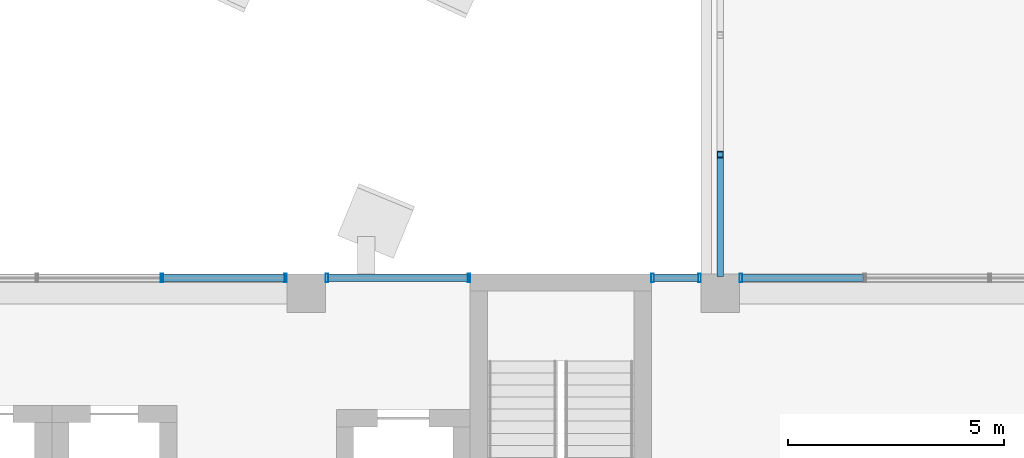
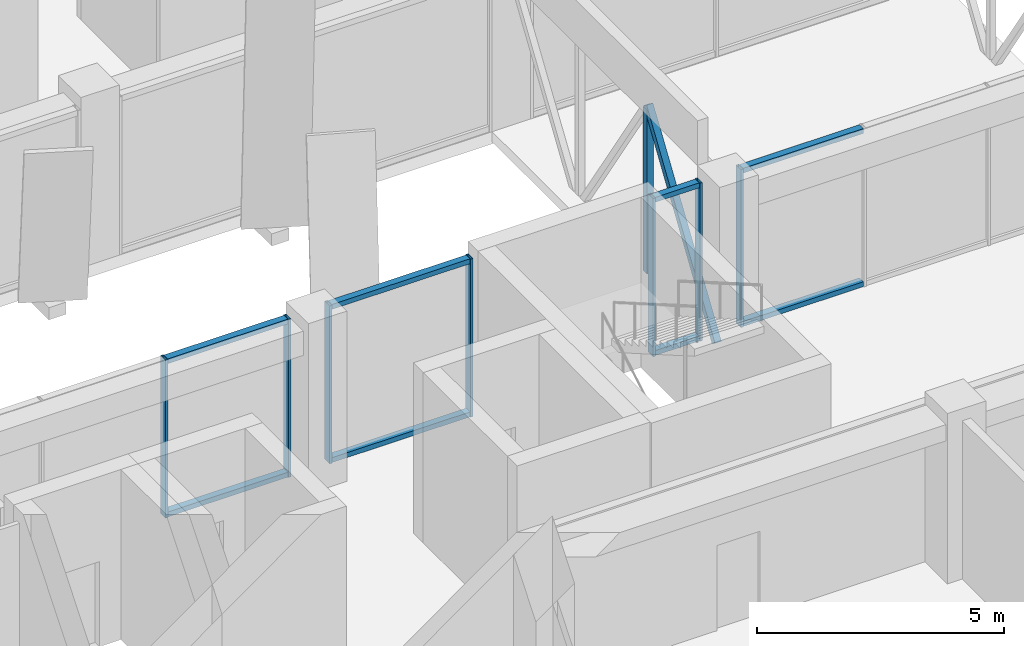
# One storey, part 9 of 38: 17 members, 4 elements without a shape of their own.
"""IFC4 building model written with IfcOpenShell, lengths in metres."""

from ifc_helpers import new_model, si_unit, direction, frame, origin, origin_2d, place, context, subcontext, project, spatial, hollow_rectangle, extrude, material, layer, layer_set, material_profile, profile_set, type_object, element, aggregate, save


model = new_model("IFC4")

# Units and contexts
model_context = context("Model", 3, precision=1e-05, world=origin(), true_north=direction((0.0, 1.0)))
body_context = subcontext(model_context, "Body", "Model", "MODEL_VIEW")
ifc_project = project(units=[si_unit("LENGTHUNIT", "METRE"), si_unit("AREAUNIT", "SQUARE_METRE"), si_unit("VOLUMEUNIT", "CUBIC_METRE"), si_unit("PLANEANGLEUNIT", "RADIAN"), si_unit("MASSUNIT", "GRAM", prefix="KILO")], contexts=[model_context])

# Site, building, storey
site_placement = place(None, origin())
site = spatial("IfcSite", under=ifc_project, at=site_placement, CompositionType="ELEMENT")
building_placement = place(site_placement, origin())
building = spatial("IfcBuilding", under=site, at=building_placement, Name="Nzadi Deep Aquarium and Research Tower", CompositionType="ELEMENT")
storey_placement = place(building_placement, frame((0.0, 0.0, 48.699951171875)))
storey = spatial("IfcBuildingStorey", under=building, at=storey_placement, Name="L09", CompositionType="ELEMENT", Elevation=48.699951171875)

# Curtain wall, members
ifc_material_1 = material(Name="Aluminium unitised frame", Category="aluminium")
ifc_layer = layer(ifc_material_1, 0.199951171875)
ifc_layer_set = layer_set([ifc_layer], Name="Aluminium unitised frame")
curtain_wall_type = type_object("IfcCurtainWallType", Name="Curtain wall Unitised 200", PredefinedType="NOTDEFINED", material=ifc_layer_set)
curtain_wall_1_placement = place(storey_placement, origin())
curtain_wall_1 = element("IfcCurtainWall", 1, at=curtain_wall_1_placement, inside=storey, type_object=curtain_wall_type, Name="Unitised curtain wall blade A north L09", PredefinedType="NOTDEFINED")
ifc_material_2 = material(Name="Aluminium unitised frame", Category="aluminium")
ifc_material_profile_1 = material_profile(ifc_material_2, hollow_rectangle(XDim=0.199951171875, YDim=0.06005859375, WallThickness=0.0048828125, at=origin_2d()))
ifc_profile_set_1 = profile_set([ifc_material_profile_1], Name="Aluminium unitised frame")
member_type_1 = type_object("IfcMemberType", Name="Mullion 60x200 Unitised", PredefinedType="MULLION", material=ifc_profile_set_1)
member_1_placement = place(storey_placement, frame((15.85009765625, 18.75, 0.0), z_axis=(0.0, 0.0, 1.0), x_axis=(0.0, 1.0, 0.0)))
member_1 = element("IfcMember", 2, at=member_1_placement, type_object=member_type_1, Name="CW031 mullion 3", PredefinedType="MULLION", context=body_context, shape_type="SweptSolid", body=[
    extrude(hollow_rectangle(XDim=0.199951171875, YDim=0.06005859375, WallThickness=0.0048828125, at=origin_2d()), origin(), (0.0, 0.0, 1.0), 3.900146484375),
])
member_2_placement = place(storey_placement, frame((18.719970703125, 18.75, 0.0), z_axis=(0.0, 0.0, 1.0), x_axis=(0.0, 1.0, 0.0)))
member_2 = element("IfcMember", 3, at=member_2_placement, type_object=member_type_1, Name="CW031 mullion 4", PredefinedType="MULLION", context=body_context, shape_type="SweptSolid", body=[
    extrude(hollow_rectangle(XDim=0.199951171875, YDim=0.06005859375, WallThickness=0.0048828125, at=origin_2d()), origin(), (0.0, 0.0, 1.0), 3.900146484375),
])

curtain_wall_2_placement = place(storey_placement, origin())
curtain_wall_2 = element("IfcCurtainWall", 4, at=curtain_wall_2_placement, inside=storey, type_object=curtain_wall_type, Name="Unitised curtain wall blade A north L09", PredefinedType="NOTDEFINED")
member_3_placement = place(storey_placement, frame((19.679931640625, 18.75, 0.0), z_axis=(0.0, 0.0, 1.0), x_axis=(0.0, 1.0, 0.0)))
member_3 = element("IfcMember", 5, at=member_3_placement, type_object=member_type_1, Name="CW032 mullion 1", PredefinedType="MULLION", context=body_context, shape_type="SweptSolid", body=[
    extrude(hollow_rectangle(XDim=0.199951171875, YDim=0.06005859375, WallThickness=0.0048828125, at=origin_2d()), origin(), (0.0, 0.0, 1.0), 3.900146484375),
])
member_4_placement = place(storey_placement, frame((22.969970703125, 18.75, 0.0), z_axis=(0.0, 0.0, 1.0), x_axis=(0.0, 1.0, 0.0)))
member_4 = element("IfcMember", 6, at=member_4_placement, type_object=member_type_1, Name="CW032 mullion 2", PredefinedType="MULLION", context=body_context, shape_type="SweptSolid", body=[
    extrude(hollow_rectangle(XDim=0.199951171875, YDim=0.06005859375, WallThickness=0.0048828125, at=origin_2d()), origin(), (0.0, 0.0, 1.0), 3.900146484375),
])

curtain_wall_3_placement = place(storey_placement, origin())
curtain_wall_3 = element("IfcCurtainWall", 7, at=curtain_wall_3_placement, inside=storey, type_object=curtain_wall_type, Name="Unitised curtain wall blade A north L09", PredefinedType="NOTDEFINED")
member_5_placement = place(storey_placement, frame((27.22998046875, 18.75, 0.0), z_axis=(0.0, 0.0, 1.0), x_axis=(0.0, 1.0, 0.0)))
member_5 = element("IfcMember", 8, at=member_5_placement, type_object=member_type_1, Name="CW033 mullion 1", PredefinedType="MULLION", context=body_context, shape_type="SweptSolid", body=[
    extrude(hollow_rectangle(XDim=0.199951171875, YDim=0.06005859375, WallThickness=0.0048828125, at=origin_2d()), origin(), (0.0, 0.0, 1.0), 3.900146484375),
])
member_6_placement = place(storey_placement, frame((28.320068359375, 18.75, 0.0), z_axis=(0.0, 0.0, 1.0), x_axis=(0.0, 1.0, 0.0)))
member_6 = element("IfcMember", 9, at=member_6_placement, type_object=member_type_1, Name="CW033 mullion 2", PredefinedType="MULLION", context=body_context, shape_type="SweptSolid", body=[
    extrude(hollow_rectangle(XDim=0.199951171875, YDim=0.06005859375, WallThickness=0.0048828125, at=origin_2d()), origin(), (0.0, 0.0, 1.0), 3.900146484375),
])

# Curtain wall, member
curtain_wall_4_placement = place(storey_placement, origin())
curtain_wall_4 = element("IfcCurtainWall", 10, at=curtain_wall_4_placement, inside=storey, type_object=curtain_wall_type, Name="Unitised curtain wall blade A north L09", PredefinedType="NOTDEFINED")
member_7_placement = place(storey_placement, frame((29.280029296875, 18.75, 0.0), z_axis=(0.0, 0.0, 1.0), x_axis=(0.0, 1.0, 0.0)))
member_7 = element("IfcMember", 11, at=member_7_placement, type_object=member_type_1, Name="CW034 mullion 1", PredefinedType="MULLION", context=body_context, shape_type="SweptSolid", body=[
    extrude(hollow_rectangle(XDim=0.199951171875, YDim=0.06005859375, WallThickness=0.0048828125, at=origin_2d()), origin(), (0.0, 0.0, 1.0), 3.900146484375),
])

# Members
ifc_material_3 = material(Name="Steel S355", Category="steel")
ifc_material_profile_2 = material_profile(ifc_material_3, hollow_rectangle(XDim=0.14990234375, YDim=0.14990234375, WallThickness=0.010009765625, at=origin_2d()))
ifc_profile_set_2 = profile_set([ifc_material_profile_2], Name="Steel S355")
member_type_2 = type_object("IfcMemberType", Name="RHS 150x150x10 brace", PredefinedType="BRACE", material=ifc_profile_set_2)
member_8_placement = place(storey_placement, frame((28.800048828125, 18.85009765625, -0.324951171875), z_axis=(0.0, 0.550098751185, 0.835099613187), x_axis=(-1.0, 0.0, 0.0)))
element("IfcMember", 12, at=member_8_placement, inside=storey, type_object=member_type_2, Name="MB-BR-L09-T1-D1", PredefinedType="BRACE", context=body_context, shape_type="SweptSolid", body=[
    extrude(hollow_rectangle(XDim=0.14990234375, YDim=0.14990234375, WallThickness=0.010009765625, at=origin_2d()), origin(), (0.0, 0.0, 1.0), 5.029296875),
])
ifc_material_4 = material(Name="Steel S355", Category="steel")
ifc_material_profile_3 = material_profile(ifc_material_4, hollow_rectangle(XDim=0.14990234375, YDim=0.14990234375, WallThickness=0.008056640625, at=origin_2d()))
ifc_profile_set_3 = profile_set([ifc_material_profile_3], Name="Steel S355")
member_type_3 = type_object("IfcMemberType", Name="RHS 150x150x8 post", PredefinedType="POST", material=ifc_profile_set_3)
member_9_placement = place(storey_placement, frame((28.800048828125, 21.61669921875, -0.25), z_axis=(0.0, 0.0, 1.0), x_axis=(1.0, 0.0, 0.0)))
element("IfcMember", 13, at=member_9_placement, inside=storey, type_object=member_type_3, Name="MB-BR-L09-T1-V1", PredefinedType="POST", context=body_context, shape_type="SweptSolid", body=[
    extrude(hollow_rectangle(XDim=0.14990234375, YDim=0.14990234375, WallThickness=0.008056640625, at=origin_2d()), origin(), (0.0, 0.0, 1.0), 4.050048828125),
])

# Member
ifc_material_5 = material(Name="Aluminium unitised frame", Category="aluminium")
ifc_material_profile_4 = material_profile(ifc_material_5, hollow_rectangle(XDim=0.159912109375, YDim=0.1201171875, WallThickness=0.0048828125, at=origin_2d()))
ifc_profile_set_4 = profile_set([ifc_material_profile_4], Name="Aluminium unitised frame")
member_type_4 = type_object("IfcMemberType", Name="Transom 120x160 Unitised", PredefinedType="MULLION", material=ifc_profile_set_4)
member_10_placement = place(storey_placement, frame((15.8798828125, 18.75, 0.06005859375), z_axis=(1.0, 0.0, 0.0), x_axis=(0.0, 1.0, 0.0)))
member_10 = element("IfcMember", 14, at=member_10_placement, type_object=member_type_4, Name="CW031 transom 3.1", PredefinedType="MULLION", context=body_context, shape_type="SweptSolid", body=[
    extrude(hollow_rectangle(XDim=0.159912109375, YDim=0.1201171875, WallThickness=0.0048828125, at=origin_2d()), origin(), (0.0, 0.0, 1.0), 2.81005859375),
])

member_11_placement = place(storey_placement, frame((15.8798828125, 18.75, 3.840087890625), z_axis=(1.0, 0.0, 0.0), x_axis=(0.0, 1.0, 0.0)))
member_11 = element("IfcMember", 15, at=member_11_placement, type_object=member_type_4, Name="CW031 transom 3.2", PredefinedType="MULLION", context=body_context, shape_type="SweptSolid", body=[
    extrude(hollow_rectangle(XDim=0.159912109375, YDim=0.1201171875, WallThickness=0.0048828125, at=origin_2d()), origin(), (0.0, 0.0, 1.0), 2.81005859375),
])

aggregate(curtain_wall_1, [member_1, member_2, member_10, member_11])

member_12_placement = place(storey_placement, frame((19.7099609375, 18.75, 0.06005859375), z_axis=(1.0, 0.0, 0.0), x_axis=(0.0, 1.0, 0.0)))
member_12 = element("IfcMember", 16, at=member_12_placement, type_object=member_type_4, Name="CW032 transom 1.1", PredefinedType="MULLION", context=body_context, shape_type="SweptSolid", body=[
    extrude(hollow_rectangle(XDim=0.159912109375, YDim=0.1201171875, WallThickness=0.0048828125, at=origin_2d()), origin(), (0.0, 0.0, 1.0), 3.22998046875),
])

member_13_placement = place(storey_placement, frame((19.7099609375, 18.75, 3.840087890625), z_axis=(1.0, 0.0, 0.0), x_axis=(0.0, 1.0, 0.0)))
member_13 = element("IfcMember", 17, at=member_13_placement, type_object=member_type_4, Name="CW032 transom 1.2", PredefinedType="MULLION", context=body_context, shape_type="SweptSolid", body=[
    extrude(hollow_rectangle(XDim=0.159912109375, YDim=0.1201171875, WallThickness=0.0048828125, at=origin_2d()), origin(), (0.0, 0.0, 1.0), 3.22998046875),
])

aggregate(curtain_wall_2, [member_3, member_4, member_12, member_13])

member_14_placement = place(storey_placement, frame((27.260009765625, 18.75, 0.06005859375), z_axis=(1.0, 0.0, 0.0), x_axis=(0.0, 1.0, 0.0)))
member_14 = element("IfcMember", 18, at=member_14_placement, type_object=member_type_4, Name="CW033 transom 1.1", PredefinedType="MULLION", context=body_context, shape_type="SweptSolid", body=[
    extrude(hollow_rectangle(XDim=0.159912109375, YDim=0.1201171875, WallThickness=0.0048828125, at=origin_2d()), origin(), (0.0, 0.0, 1.0), 1.030029296875),
])

member_15_placement = place(storey_placement, frame((27.260009765625, 18.75, 3.840087890625), z_axis=(1.0, 0.0, 0.0), x_axis=(0.0, 1.0, 0.0)))
member_15 = element("IfcMember", 19, at=member_15_placement, type_object=member_type_4, Name="CW033 transom 1.2", PredefinedType="MULLION", context=body_context, shape_type="SweptSolid", body=[
    extrude(hollow_rectangle(XDim=0.159912109375, YDim=0.1201171875, WallThickness=0.0048828125, at=origin_2d()), origin(), (0.0, 0.0, 1.0), 1.030029296875),
])

aggregate(curtain_wall_3, [member_5, member_6, member_14, member_15])

member_16_placement = place(storey_placement, frame((29.31005859375, 18.75, 0.06005859375), z_axis=(1.0, 0.0, 0.0), x_axis=(0.0, 1.0, 0.0)))
member_16 = element("IfcMember", 20, at=member_16_placement, type_object=member_type_4, Name="CW034 transom 1.1", PredefinedType="MULLION", context=body_context, shape_type="SweptSolid", body=[
    extrude(hollow_rectangle(XDim=0.159912109375, YDim=0.1201171875, WallThickness=0.0048828125, at=origin_2d()), origin(), (0.0, 0.0, 1.0), 2.81005859375),
])

member_17_placement = place(storey_placement, frame((29.31005859375, 18.75, 3.840087890625), z_axis=(1.0, 0.0, 0.0), x_axis=(0.0, 1.0, 0.0)))
member_17 = element("IfcMember", 21, at=member_17_placement, type_object=member_type_4, Name="CW034 transom 1.2", PredefinedType="MULLION", context=body_context, shape_type="SweptSolid", body=[
    extrude(hollow_rectangle(XDim=0.159912109375, YDim=0.1201171875, WallThickness=0.0048828125, at=origin_2d()), origin(), (0.0, 0.0, 1.0), 2.81005859375),
])

aggregate(curtain_wall_4, [member_7, member_16, member_17])

save(model, "model.ifc")
